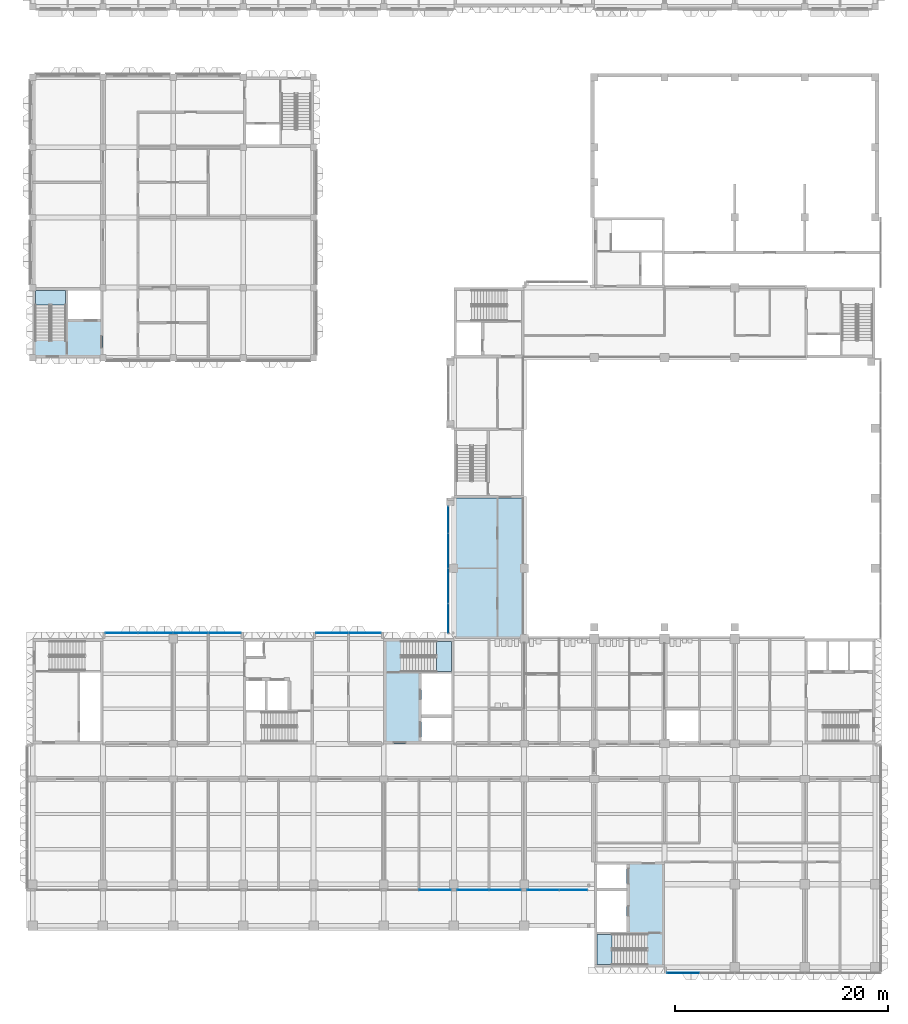
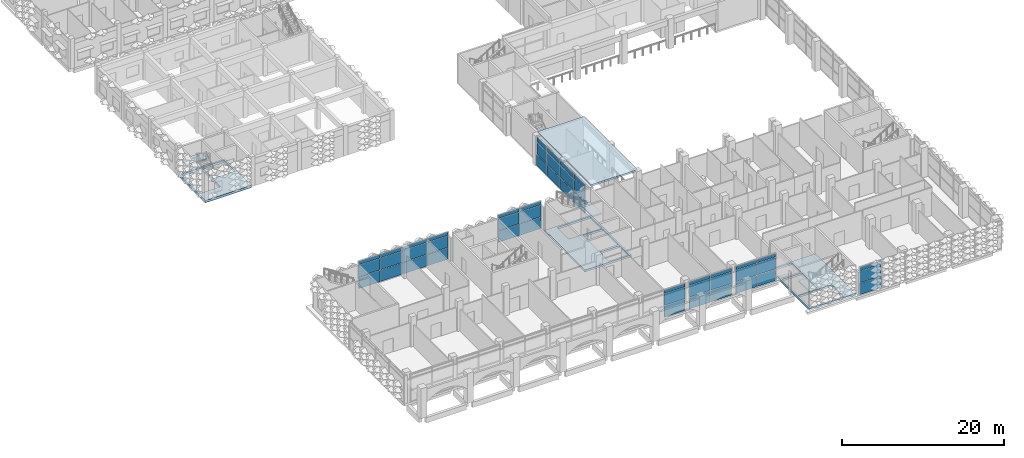
# One storey, part 22 of 87: 48 plates, 7 slabs, 10 elements without a shape of their own.
"""IFC4 building model written with IfcOpenShell, lengths in metres."""

from ifc_helpers import new_model, si_unit, direction, frame, origin, origin_2d, place, context, subcontext, project, spatial, polyline, rectangle, outline, extrude, material, layer, layer_set, type_object, element, aggregate, save


model = new_model("IFC4")

# Units and contexts
model_context = context("Model", 3, precision=1e-05, world=origin(), true_north=direction((0.0, 1.0)))
body_context = subcontext(model_context, "Body", "Model", "MODEL_VIEW")
ifc_project = project(units=[si_unit("LENGTHUNIT", "METRE"), si_unit("AREAUNIT", "SQUARE_METRE"), si_unit("VOLUMEUNIT", "CUBIC_METRE"), si_unit("PLANEANGLEUNIT", "RADIAN"), si_unit("MASSUNIT", "GRAM", prefix="KILO")], contexts=[model_context])

# Site, building, storey
site_placement = place(None, origin())
site = spatial("IfcSite", under=ifc_project, at=site_placement, CompositionType="ELEMENT")
building_placement = place(site_placement, origin())
building = spatial("IfcBuilding", under=site, at=building_placement, Name="Lantern Court Research Institute", CompositionType="ELEMENT")
storey_placement = place(building_placement, frame((0.0, 0.0, 5.39990234375)))
storey = spatial("IfcBuildingStorey", under=building, at=storey_placement, Name="L01", CompositionType="ELEMENT", Elevation=5.39990234375)

# Curtain wall, plates
ifc_material_1 = material(Name="Aluminium alloy 6063-T6", Category="aluminium")
curtain_wall_type_1 = type_object("IfcCurtainWallType", Name="Curtain wall 6150 x 4200 x 150 aluminium frame", PredefinedType="NOTDEFINED", material=ifc_material_1)
curtain_wall_1_placement = place(storey_placement, origin())
curtain_wall_1 = element("IfcCurtainWall", 1, at=curtain_wall_1_placement, inside=storey, type_object=curtain_wall_type_1, Name="Curtain wall CW028", PredefinedType="NOTDEFINED")
ifc_material_2 = material(Name="Laminated low-emissivity glass", Category="glass")
ifc_layer_1 = layer(ifc_material_2, 0.0439453125)
ifc_layer_set_1 = layer_set([ifc_layer_1], Name="Laminated low-emissivity glass")
plate_type_1 = type_object("IfcPlateType", Name="Acoustic laminated unit 44 mm over the arcade", PredefinedType="CURTAIN_PANEL", material=ifc_layer_set_1)
plate_1_placement = place(storey_placement, frame((37.8173828125, -0.52490234375, 0.080078125), z_axis=(0.0, 0.0, 1.0), x_axis=(-1.0, 0.0, 0.0)))
plate_1 = element("IfcPlate", 2, at=plate_1_placement, type_object=plate_type_1, Name="CW028 glazed panel 2.1", PredefinedType="CURTAIN_PANEL", context=body_context, shape_type="SweptSolid", body=[
    extrude(rectangle(XDim=2.955078125, YDim=0.0439453125, at=origin_2d()), origin(), (0.0, 0.0, 1.0), 1.679931640625),
])
plate_2_placement = place(storey_placement, frame((37.8173828125, -0.52490234375, 1.84033203125), z_axis=(0.0, 0.0, 1.0), x_axis=(-1.0, 0.0, 0.0)))
plate_2 = element("IfcPlate", 3, at=plate_2_placement, type_object=plate_type_1, Name="CW028 glazed panel 2.2", PredefinedType="CURTAIN_PANEL", context=body_context, shape_type="SweptSolid", body=[
    extrude(rectangle(XDim=2.955078125, YDim=0.0439453125, at=origin_2d()), origin(), (0.0, 0.0, 1.0), 1.719970703125),
])
plate_3_placement = place(storey_placement, frame((37.8173828125, -0.52490234375, 3.64013671875), z_axis=(0.0, 0.0, 1.0), x_axis=(-1.0, 0.0, 0.0)))
plate_3 = element("IfcPlate", 4, at=plate_3_placement, type_object=plate_type_1, Name="CW028 glazed panel 2.3", PredefinedType="CURTAIN_PANEL", context=body_context, shape_type="SweptSolid", body=[
    extrude(rectangle(XDim=2.955078125, YDim=0.0439453125, at=origin_2d()), origin(), (0.0, 0.0, 1.0), 0.47998046875),
])
aggregate(curtain_wall_1, [plate_1, plate_2, plate_3])

curtain_wall_2_placement = place(storey_placement, origin())
curtain_wall_2 = element("IfcCurtainWall", 5, at=curtain_wall_2_placement, inside=storey, type_object=curtain_wall_type_1, Name="Curtain wall CW029", PredefinedType="NOTDEFINED")
plate_4_placement = place(storey_placement, frame((41.382568359375, -0.52490234375, 0.080078125), z_axis=(0.0, 0.0, 1.0), x_axis=(-1.0, 0.0, 0.0)))
plate_4 = element("IfcPlate", 6, at=plate_4_placement, type_object=plate_type_1, Name="CW029 glazed panel 1.1", PredefinedType="CURTAIN_PANEL", context=body_context, shape_type="SweptSolid", body=[
    extrude(rectangle(XDim=2.955078125, YDim=0.0439453125, at=origin_2d()), origin(), (0.0, 0.0, 1.0), 1.679931640625),
])
plate_5_placement = place(storey_placement, frame((41.382568359375, -0.52490234375, 1.84033203125), z_axis=(0.0, 0.0, 1.0), x_axis=(-1.0, 0.0, 0.0)))
plate_5 = element("IfcPlate", 7, at=plate_5_placement, type_object=plate_type_1, Name="CW029 glazed panel 1.2", PredefinedType="CURTAIN_PANEL", context=body_context, shape_type="SweptSolid", body=[
    extrude(rectangle(XDim=2.955078125, YDim=0.0439453125, at=origin_2d()), origin(), (0.0, 0.0, 1.0), 1.719970703125),
])
plate_6_placement = place(storey_placement, frame((41.382568359375, -0.52490234375, 3.64013671875), z_axis=(0.0, 0.0, 1.0), x_axis=(-1.0, 0.0, 0.0)))
plate_6 = element("IfcPlate", 8, at=plate_6_placement, type_object=plate_type_1, Name="CW029 glazed panel 1.3", PredefinedType="CURTAIN_PANEL", context=body_context, shape_type="SweptSolid", body=[
    extrude(rectangle(XDim=2.955078125, YDim=0.0439453125, at=origin_2d()), origin(), (0.0, 0.0, 1.0), 0.47998046875),
])
plate_7_placement = place(storey_placement, frame((44.41748046875, -0.52490234375, 0.080078125), z_axis=(0.0, 0.0, 1.0), x_axis=(-1.0, 0.0, 0.0)))
plate_7 = element("IfcPlate", 9, at=plate_7_placement, type_object=plate_type_1, Name="CW029 glazed panel 2.1", PredefinedType="CURTAIN_PANEL", context=body_context, shape_type="SweptSolid", body=[
    extrude(rectangle(XDim=2.955078125, YDim=0.0439453125, at=origin_2d()), origin(), (0.0, 0.0, 1.0), 1.679931640625),
])
plate_8_placement = place(storey_placement, frame((44.41748046875, -0.52490234375, 1.84033203125), z_axis=(0.0, 0.0, 1.0), x_axis=(-1.0, 0.0, 0.0)))
plate_8 = element("IfcPlate", 10, at=plate_8_placement, type_object=plate_type_1, Name="CW029 glazed panel 2.2", PredefinedType="CURTAIN_PANEL", context=body_context, shape_type="SweptSolid", body=[
    extrude(rectangle(XDim=2.955078125, YDim=0.0439453125, at=origin_2d()), origin(), (0.0, 0.0, 1.0), 1.719970703125),
])
plate_9_placement = place(storey_placement, frame((44.41748046875, -0.52490234375, 3.64013671875), z_axis=(0.0, 0.0, 1.0), x_axis=(-1.0, 0.0, 0.0)))
plate_9 = element("IfcPlate", 11, at=plate_9_placement, type_object=plate_type_1, Name="CW029 glazed panel 2.3", PredefinedType="CURTAIN_PANEL", context=body_context, shape_type="SweptSolid", body=[
    extrude(rectangle(XDim=2.955078125, YDim=0.0439453125, at=origin_2d()), origin(), (0.0, 0.0, 1.0), 0.47998046875),
])
aggregate(curtain_wall_2, [plate_4, plate_5, plate_6, plate_7, plate_8, plate_9])

ifc_material_3 = material(Name="Aluminium alloy 6063-T6", Category="aluminium")
curtain_wall_type_2 = type_object("IfcCurtainWallType", Name="Curtain wall 5775 x 4200 x 150 aluminium frame", PredefinedType="NOTDEFINED", material=ifc_material_3)
curtain_wall_3_placement = place(storey_placement, origin())
curtain_wall_3 = element("IfcCurtainWall", 12, at=curtain_wall_3_placement, inside=storey, type_object=curtain_wall_type_2, Name="Curtain wall CW030", PredefinedType="NOTDEFINED")
plate_10_placement = place(storey_placement, frame((47.982421875, -0.52490234375, 0.080078125), z_axis=(0.0, 0.0, 1.0), x_axis=(-1.0, 0.0, 0.0)))
plate_10 = element("IfcPlate", 13, at=plate_10_placement, type_object=plate_type_1, Name="CW030 glazed panel 1.1", PredefinedType="CURTAIN_PANEL", context=body_context, shape_type="SweptSolid", body=[
    extrude(rectangle(XDim=2.955078125, YDim=0.0439453125, at=origin_2d()), origin(), (0.0, 0.0, 1.0), 1.679931640625),
])
plate_11_placement = place(storey_placement, frame((47.982421875, -0.52490234375, 1.84033203125), z_axis=(0.0, 0.0, 1.0), x_axis=(-1.0, 0.0, 0.0)))
plate_11 = element("IfcPlate", 14, at=plate_11_placement, type_object=plate_type_1, Name="CW030 glazed panel 1.2", PredefinedType="CURTAIN_PANEL", context=body_context, shape_type="SweptSolid", body=[
    extrude(rectangle(XDim=2.955078125, YDim=0.0439453125, at=origin_2d()), origin(), (0.0, 0.0, 1.0), 1.719970703125),
])
plate_12_placement = place(storey_placement, frame((47.982421875, -0.52490234375, 3.64013671875), z_axis=(0.0, 0.0, 1.0), x_axis=(-1.0, 0.0, 0.0)))
plate_12 = element("IfcPlate", 15, at=plate_12_placement, type_object=plate_type_1, Name="CW030 glazed panel 1.3", PredefinedType="CURTAIN_PANEL", context=body_context, shape_type="SweptSolid", body=[
    extrude(rectangle(XDim=2.955078125, YDim=0.0439453125, at=origin_2d()), origin(), (0.0, 0.0, 1.0), 0.47998046875),
])
plate_13_placement = place(storey_placement, frame((50.830078125, -0.52490234375, 0.080078125), z_axis=(0.0, 0.0, 1.0), x_axis=(-1.0, 0.0, 0.0)))
plate_13 = element("IfcPlate", 16, at=plate_13_placement, type_object=plate_type_1, Name="CW030 glazed panel 2.1", PredefinedType="CURTAIN_PANEL", context=body_context, shape_type="SweptSolid", body=[
    extrude(rectangle(XDim=2.580078125, YDim=0.0439453125, at=origin_2d()), origin(), (0.0, 0.0, 1.0), 1.679931640625),
])
plate_14_placement = place(storey_placement, frame((50.830078125, -0.52490234375, 1.84033203125), z_axis=(0.0, 0.0, 1.0), x_axis=(-1.0, 0.0, 0.0)))
plate_14 = element("IfcPlate", 17, at=plate_14_placement, type_object=plate_type_1, Name="CW030 glazed panel 2.2", PredefinedType="CURTAIN_PANEL", context=body_context, shape_type="SweptSolid", body=[
    extrude(rectangle(XDim=2.580078125, YDim=0.0439453125, at=origin_2d()), origin(), (0.0, 0.0, 1.0), 1.719970703125),
])
plate_15_placement = place(storey_placement, frame((50.830078125, -0.52490234375, 3.64013671875), z_axis=(0.0, 0.0, 1.0), x_axis=(-1.0, 0.0, 0.0)))
plate_15 = element("IfcPlate", 18, at=plate_15_placement, type_object=plate_type_1, Name="CW030 glazed panel 2.3", PredefinedType="CURTAIN_PANEL", context=body_context, shape_type="SweptSolid", body=[
    extrude(rectangle(XDim=2.580078125, YDim=0.0439453125, at=origin_2d()), origin(), (0.0, 0.0, 1.0), 0.47998046875),
])
aggregate(curtain_wall_3, [plate_10, plate_11, plate_12, plate_13, plate_14, plate_15])

ifc_material_4 = material(Name="Aluminium alloy 6063-T6", Category="aluminium")
curtain_wall_type_3 = type_object("IfcCurtainWallType", Name="Curtain wall 12050 x 4500 x 150 aluminium frame", PredefinedType="NOTDEFINED", material=ifc_material_4)
curtain_wall_4_placement = place(storey_placement, origin())
curtain_wall_4 = element("IfcCurtainWall", 19, at=curtain_wall_4_placement, inside=storey, type_object=curtain_wall_type_3, Name="Curtain wall CW019", PredefinedType="NOTDEFINED")
ifc_material_5 = material(Name="Fire-resisting insulated aluminium spandrel panel", Category="aluminium")
ifc_layer_2 = layer(ifc_material_5, 0.1201171875)
ifc_layer_set_2 = layer_set([ifc_layer_2], Name="Fire-resisting insulated aluminium spandrel panel")
plate_type_2 = type_object("IfcPlateType", Name="Fire-resisting spandrel panel 120 mm", PredefinedType="CURTAIN_PANEL", material=ifc_layer_set_2)
plate_16_placement = place(storey_placement, frame((39.074951171875, 25.0, 0.10009765625), z_axis=(0.0, 0.0, 1.0), x_axis=(0.0, 1.0, 0.0)))
plate_16 = element("IfcPlate", 20, at=plate_16_placement, type_object=plate_type_2, Name="CW019 spandrel panel 1.1", PredefinedType="CURTAIN_PANEL", context=body_context, shape_type="SweptSolid", body=[
    extrude(rectangle(XDim=2.699951171875, YDim=0.1201171875, at=origin_2d()), origin(), (0.0, 0.0, 1.0), 1.64990234375),
])
plate_17_placement = place(storey_placement, frame((39.074951171875, 28.050048828125, 0.10009765625), z_axis=(0.0, 0.0, 1.0), x_axis=(0.0, 1.0, 0.0)))
plate_17 = element("IfcPlate", 21, at=plate_17_placement, type_object=plate_type_2, Name="CW019 spandrel panel 2.1", PredefinedType="CURTAIN_PANEL", context=body_context, shape_type="SweptSolid", body=[
    extrude(rectangle(XDim=3.199951171875, YDim=0.1201171875, at=origin_2d()), origin(), (0.0, 0.0, 1.0), 1.64990234375),
])
plate_18_placement = place(storey_placement, frame((39.074951171875, 31.35009765625, 0.10009765625), z_axis=(0.0, 0.0, 1.0), x_axis=(0.0, 1.0, 0.0)))
plate_18 = element("IfcPlate", 22, at=plate_18_placement, type_object=plate_type_2, Name="CW019 spandrel panel 3.1", PredefinedType="CURTAIN_PANEL", context=body_context, shape_type="SweptSolid", body=[
    extrude(rectangle(XDim=3.199951171875, YDim=0.1201171875, at=origin_2d()), origin(), (0.0, 0.0, 1.0), 1.64990234375),
])
plate_19_placement = place(storey_placement, frame((39.074951171875, 34.27490234375, 0.10009765625), z_axis=(0.0, 0.0, 1.0), x_axis=(0.0, 1.0, 0.0)))
plate_19 = element("IfcPlate", 23, at=plate_19_placement, type_object=plate_type_2, Name="CW019 spandrel panel 4.1", PredefinedType="CURTAIN_PANEL", context=body_context, shape_type="SweptSolid", body=[
    extrude(rectangle(XDim=2.449951171875, YDim=0.1201171875, at=origin_2d()), origin(), (0.0, 0.0, 1.0), 1.64990234375),
])

# Slab
ifc_material_6 = material(Name="Concrete C35/45", Category="concrete")
ifc_layer_3 = layer(ifc_material_6, 0.25)
ifc_layer_set_3 = layer_set([ifc_layer_3], Name="Concrete C35/45")
slab_type_1 = type_object("IfcSlabType", Name="Hall gallery slab 250", PredefinedType="FLOOR", material=ifc_layer_set_3)
slab_1_placement = place(storey_placement, frame((0.0, 0.0, 4.25)))
element("IfcSlab", 24, at=slab_1_placement, inside=storey, type_object=slab_type_1, Name="Atrium gallery floor slab L02", PredefinedType="FLOOR", context=body_context, shape_type="SweptSolid", body=[
    extrude(outline(polyline([(39.60009765625, 36.300048828125), (46.199951171875, 36.300048828125), (46.199951171875, 23.10009765625), (39.60009765625, 23.10009765625), (39.60009765625, 36.300048828125)])), origin(), (0.0, 0.0, 1.0), 0.25),
])

# Curtain wall, plate
ifc_material_7 = material(Name="Aluminium alloy 6063-T6", Category="aluminium")
curtain_wall_type_4 = type_object("IfcCurtainWallType", Name="Curtain wall 20200 x 4200 x 150 aluminium frame", PredefinedType="NOTDEFINED", material=ifc_material_7)
curtain_wall_5_placement = place(storey_placement, origin())
curtain_wall_5 = element("IfcCurtainWall", 25, at=curtain_wall_5_placement, inside=storey, type_object=curtain_wall_type_4, Name="Curtain wall CW033", PredefinedType="NOTDEFINED")
ifc_material_8 = material(Name="Insulated aluminium spandrel panel", Category="aluminium")
ifc_layer_4 = layer(ifc_material_8, 0.10009765625)
ifc_layer_set_4 = layer_set([ifc_layer_4], Name="Insulated aluminium spandrel panel")
plate_type_3 = type_object("IfcPlateType", Name="Insulated spandrel panel 100 mm for south sun", PredefinedType="CURTAIN_PANEL", material=ifc_layer_set_4)
plate_20_placement = place(storey_placement, frame((61.1650390625, -8.324951171875, 0.06005859375), z_axis=(0.0, 0.0, 1.0), x_axis=(-1.0, 0.0, 0.0)))
plate_20 = element("IfcPlate", 26, at=plate_20_placement, type_object=plate_type_3, Name="CW033 spandrel panel 1.1", PredefinedType="CURTAIN_PANEL", context=body_context, shape_type="SweptSolid", body=[
    extrude(rectangle(XDim=3.010009765625, YDim=0.10009765625, at=origin_2d()), origin(), (0.0, 0.0, 1.0), 1.7099609375),
])

# Curtain wall, plates
ifc_material_9 = material(Name="Aluminium alloy 6063-T6", Category="aluminium")
curtain_wall_type_5 = type_object("IfcCurtainWallType", Name="Curtain wall 12800 x 4200 x 150 aluminium frame", PredefinedType="NOTDEFINED", material=ifc_material_9)
curtain_wall_6_placement = place(storey_placement, origin())
curtain_wall_6 = element("IfcCurtainWall", 27, at=curtain_wall_6_placement, inside=storey, type_object=curtain_wall_type_5, Name="Curtain wall CW021", PredefinedType="NOTDEFINED")
ifc_material_10 = material(Name="Insulated aluminium spandrel panel", Category="aluminium")
ifc_layer_5 = layer(ifc_material_10, 0.06005859375)
ifc_layer_set_5 = layer_set([ifc_layer_5], Name="Insulated aluminium spandrel panel")
plate_type_4 = type_object("IfcPlateType", Name="Insulated spandrel panel 60 mm", PredefinedType="CURTAIN_PANEL", material=ifc_layer_set_5)
plate_21_placement = place(storey_placement, frame((8.364990234375, 23.625, 0.06005859375), z_axis=(0.0, 0.0, 1.0), x_axis=(1.0, 0.0, 0.0)))
plate_21 = element("IfcPlate", 28, at=plate_21_placement, type_object=plate_type_4, Name="CW021 spandrel panel 1.1", PredefinedType="CURTAIN_PANEL", context=body_context, shape_type="SweptSolid", body=[
    extrude(rectangle(XDim=3.010009765625, YDim=0.06005859375, at=origin_2d()), origin(), (0.0, 0.0, 1.0), 1.7099609375),
])
plate_22_placement = place(storey_placement, frame((11.550048828125, 23.625, 0.06005859375), z_axis=(0.0, 0.0, 1.0), x_axis=(1.0, 0.0, 0.0)))
plate_22 = element("IfcPlate", 29, at=plate_22_placement, type_object=plate_type_4, Name="CW021 spandrel panel 2.1", PredefinedType="CURTAIN_PANEL", context=body_context, shape_type="SweptSolid", body=[
    extrude(rectangle(XDim=3.239990234375, YDim=0.06005859375, at=origin_2d()), origin(), (0.0, 0.0, 1.0), 1.7099609375),
])
plate_23_placement = place(storey_placement, frame((14.85009765625, 23.625, 0.06005859375), z_axis=(0.0, 0.0, 1.0), x_axis=(1.0, 0.0, 0.0)))
plate_23 = element("IfcPlate", 30, at=plate_23_placement, type_object=plate_type_4, Name="CW021 spandrel panel 3.1", PredefinedType="CURTAIN_PANEL", context=body_context, shape_type="SweptSolid", body=[
    extrude(rectangle(XDim=3.239990234375, YDim=0.06005859375, at=origin_2d()), origin(), (0.0, 0.0, 1.0), 1.7099609375),
])
plate_24_placement = place(storey_placement, frame((18.034912109375, 23.625, 0.06005859375), z_axis=(0.0, 0.0, 1.0), x_axis=(1.0, 0.0, 0.0)))
plate_24 = element("IfcPlate", 31, at=plate_24_placement, type_object=plate_type_4, Name="CW021 spandrel panel 4.1", PredefinedType="CURTAIN_PANEL", context=body_context, shape_type="SweptSolid", body=[
    extrude(rectangle(XDim=3.010009765625, YDim=0.06005859375, at=origin_2d()), origin(), (0.0, 0.0, 1.0), 1.7099609375),
])

ifc_material_11 = material(Name="Aluminium alloy 6063-T6", Category="aluminium")
curtain_wall_type_6 = type_object("IfcCurtainWallType", Name="Curtain wall 6200 x 4200 x 150 aluminium frame", PredefinedType="NOTDEFINED", material=ifc_material_11)
curtain_wall_7_placement = place(storey_placement, origin())
curtain_wall_7 = element("IfcCurtainWall", 32, at=curtain_wall_7_placement, inside=storey, type_object=curtain_wall_type_6, Name="Curtain wall CW022", PredefinedType="NOTDEFINED")
plate_25_placement = place(storey_placement, frame((28.1650390625, 23.625, 0.06005859375), z_axis=(0.0, 0.0, 1.0), x_axis=(1.0, 0.0, 0.0)))
plate_25 = element("IfcPlate", 33, at=plate_25_placement, type_object=plate_type_4, Name="CW022 spandrel panel 1.1", PredefinedType="CURTAIN_PANEL", context=body_context, shape_type="SweptSolid", body=[
    extrude(rectangle(XDim=3.010009765625, YDim=0.06005859375, at=origin_2d()), origin(), (0.0, 0.0, 1.0), 1.7099609375),
])
plate_26_placement = place(storey_placement, frame((31.235107421875, 23.625, 0.06005859375), z_axis=(0.0, 0.0, 1.0), x_axis=(1.0, 0.0, 0.0)))
plate_26 = element("IfcPlate", 34, at=plate_26_placement, type_object=plate_type_4, Name="CW022 spandrel panel 2.1", PredefinedType="CURTAIN_PANEL", context=body_context, shape_type="SweptSolid", body=[
    extrude(rectangle(XDim=3.010009765625, YDim=0.06005859375, at=origin_2d()), origin(), (0.0, 0.0, 1.0), 1.7099609375),
])

# Plate
ifc_material_12 = material(Name="Laminated low-emissivity glass", Category="glass")
ifc_layer_6 = layer(ifc_material_12, 0.028076171875)
ifc_layer_set_6 = layer_set([ifc_layer_6], Name="Laminated low-emissivity glass")
plate_type_5 = type_object("IfcPlateType", Name="Laminated low-emissivity unit 28 mm", PredefinedType="CURTAIN_PANEL", material=ifc_layer_set_6)
plate_27_placement = place(storey_placement, frame((39.074951171875, 25.0, 1.85009765625), z_axis=(0.0, 0.0, 1.0), x_axis=(0.0, 1.0, 0.0)))
plate_27 = element("IfcPlate", 35, at=plate_27_placement, type_object=plate_type_5, Name="CW019 glazed panel 1.2", PredefinedType="CURTAIN_PANEL", context=body_context, shape_type="SweptSolid", body=[
    extrude(rectangle(XDim=2.699951171875, YDim=0.028076171875, at=origin_2d()), origin(), (0.0, 0.0, 1.0), 1.699951171875),
])

plate_28_placement = place(storey_placement, frame((39.074951171875, 25.0, 3.650146484375), z_axis=(0.0, 0.0, 1.0), x_axis=(0.0, 1.0, 0.0)))
plate_28 = element("IfcPlate", 36, at=plate_28_placement, type_object=plate_type_5, Name="CW019 glazed panel 1.3", PredefinedType="CURTAIN_PANEL", context=body_context, shape_type="SweptSolid", body=[
    extrude(rectangle(XDim=2.699951171875, YDim=0.028076171875, at=origin_2d()), origin(), (0.0, 0.0, 1.0), 0.75),
])

plate_29_placement = place(storey_placement, frame((39.074951171875, 28.050048828125, 1.85009765625), z_axis=(0.0, 0.0, 1.0), x_axis=(0.0, 1.0, 0.0)))
plate_29 = element("IfcPlate", 37, at=plate_29_placement, type_object=plate_type_5, Name="CW019 glazed panel 2.2", PredefinedType="CURTAIN_PANEL", context=body_context, shape_type="SweptSolid", body=[
    extrude(rectangle(XDim=3.199951171875, YDim=0.028076171875, at=origin_2d()), origin(), (0.0, 0.0, 1.0), 1.699951171875),
])

plate_30_placement = place(storey_placement, frame((39.074951171875, 28.050048828125, 3.650146484375), z_axis=(0.0, 0.0, 1.0), x_axis=(0.0, 1.0, 0.0)))
plate_30 = element("IfcPlate", 38, at=plate_30_placement, type_object=plate_type_5, Name="CW019 glazed panel 2.3", PredefinedType="CURTAIN_PANEL", context=body_context, shape_type="SweptSolid", body=[
    extrude(rectangle(XDim=3.199951171875, YDim=0.028076171875, at=origin_2d()), origin(), (0.0, 0.0, 1.0), 0.75),
])

plate_31_placement = place(storey_placement, frame((39.074951171875, 31.35009765625, 1.85009765625), z_axis=(0.0, 0.0, 1.0), x_axis=(0.0, 1.0, 0.0)))
plate_31 = element("IfcPlate", 39, at=plate_31_placement, type_object=plate_type_5, Name="CW019 glazed panel 3.2", PredefinedType="CURTAIN_PANEL", context=body_context, shape_type="SweptSolid", body=[
    extrude(rectangle(XDim=3.199951171875, YDim=0.028076171875, at=origin_2d()), origin(), (0.0, 0.0, 1.0), 1.699951171875),
])

plate_32_placement = place(storey_placement, frame((39.074951171875, 31.35009765625, 3.650146484375), z_axis=(0.0, 0.0, 1.0), x_axis=(0.0, 1.0, 0.0)))
plate_32 = element("IfcPlate", 40, at=plate_32_placement, type_object=plate_type_5, Name="CW019 glazed panel 3.3", PredefinedType="CURTAIN_PANEL", context=body_context, shape_type="SweptSolid", body=[
    extrude(rectangle(XDim=3.199951171875, YDim=0.028076171875, at=origin_2d()), origin(), (0.0, 0.0, 1.0), 0.75),
])

plate_33_placement = place(storey_placement, frame((39.074951171875, 34.27490234375, 1.85009765625), z_axis=(0.0, 0.0, 1.0), x_axis=(0.0, 1.0, 0.0)))
plate_33 = element("IfcPlate", 41, at=plate_33_placement, type_object=plate_type_5, Name="CW019 glazed panel 4.2", PredefinedType="CURTAIN_PANEL", context=body_context, shape_type="SweptSolid", body=[
    extrude(rectangle(XDim=2.449951171875, YDim=0.028076171875, at=origin_2d()), origin(), (0.0, 0.0, 1.0), 1.699951171875),
])

plate_34_placement = place(storey_placement, frame((39.074951171875, 34.27490234375, 3.650146484375), z_axis=(0.0, 0.0, 1.0), x_axis=(0.0, 1.0, 0.0)))
plate_34 = element("IfcPlate", 42, at=plate_34_placement, type_object=plate_type_5, Name="CW019 glazed panel 4.3", PredefinedType="CURTAIN_PANEL", context=body_context, shape_type="SweptSolid", body=[
    extrude(rectangle(XDim=2.449951171875, YDim=0.028076171875, at=origin_2d()), origin(), (0.0, 0.0, 1.0), 0.75),
])

aggregate(curtain_wall_4, [plate_16, plate_27, plate_28, plate_17, plate_29, plate_30, plate_18, plate_31, plate_32, plate_19, plate_33, plate_34])

plate_35_placement = place(storey_placement, frame((8.364990234375, 23.625, 1.830078125), z_axis=(0.0, 0.0, 1.0), x_axis=(1.0, 0.0, 0.0)))
plate_35 = element("IfcPlate", 43, at=plate_35_placement, type_object=plate_type_5, Name="CW021 glazed panel 1.2", PredefinedType="CURTAIN_PANEL", context=body_context, shape_type="SweptSolid", body=[
    extrude(rectangle(XDim=3.010009765625, YDim=0.028076171875, at=origin_2d()), origin(), (0.0, 0.0, 1.0), 1.739990234375),
])

plate_36_placement = place(storey_placement, frame((8.364990234375, 23.625, 3.6298828125), z_axis=(0.0, 0.0, 1.0), x_axis=(1.0, 0.0, 0.0)))
plate_36 = element("IfcPlate", 44, at=plate_36_placement, type_object=plate_type_5, Name="CW021 glazed panel 1.3", PredefinedType="CURTAIN_PANEL", context=body_context, shape_type="SweptSolid", body=[
    extrude(rectangle(XDim=3.010009765625, YDim=0.028076171875, at=origin_2d()), origin(), (0.0, 0.0, 1.0), 0.510009765625),
])

plate_37_placement = place(storey_placement, frame((11.550048828125, 23.625, 1.830078125), z_axis=(0.0, 0.0, 1.0), x_axis=(1.0, 0.0, 0.0)))
plate_37 = element("IfcPlate", 45, at=plate_37_placement, type_object=plate_type_5, Name="CW021 glazed panel 2.2", PredefinedType="CURTAIN_PANEL", context=body_context, shape_type="SweptSolid", body=[
    extrude(rectangle(XDim=3.239990234375, YDim=0.028076171875, at=origin_2d()), origin(), (0.0, 0.0, 1.0), 1.739990234375),
])

plate_38_placement = place(storey_placement, frame((11.550048828125, 23.625, 3.6298828125), z_axis=(0.0, 0.0, 1.0), x_axis=(1.0, 0.0, 0.0)))
plate_38 = element("IfcPlate", 46, at=plate_38_placement, type_object=plate_type_5, Name="CW021 glazed panel 2.3", PredefinedType="CURTAIN_PANEL", context=body_context, shape_type="SweptSolid", body=[
    extrude(rectangle(XDim=3.239990234375, YDim=0.028076171875, at=origin_2d()), origin(), (0.0, 0.0, 1.0), 0.510009765625),
])

plate_39_placement = place(storey_placement, frame((14.85009765625, 23.625, 1.830078125), z_axis=(0.0, 0.0, 1.0), x_axis=(1.0, 0.0, 0.0)))
plate_39 = element("IfcPlate", 47, at=plate_39_placement, type_object=plate_type_5, Name="CW021 glazed panel 3.2", PredefinedType="CURTAIN_PANEL", context=body_context, shape_type="SweptSolid", body=[
    extrude(rectangle(XDim=3.239990234375, YDim=0.028076171875, at=origin_2d()), origin(), (0.0, 0.0, 1.0), 1.739990234375),
])

plate_40_placement = place(storey_placement, frame((14.85009765625, 23.625, 3.6298828125), z_axis=(0.0, 0.0, 1.0), x_axis=(1.0, 0.0, 0.0)))
plate_40 = element("IfcPlate", 48, at=plate_40_placement, type_object=plate_type_5, Name="CW021 glazed panel 3.3", PredefinedType="CURTAIN_PANEL", context=body_context, shape_type="SweptSolid", body=[
    extrude(rectangle(XDim=3.239990234375, YDim=0.028076171875, at=origin_2d()), origin(), (0.0, 0.0, 1.0), 0.510009765625),
])

plate_41_placement = place(storey_placement, frame((18.034912109375, 23.625, 1.830078125), z_axis=(0.0, 0.0, 1.0), x_axis=(1.0, 0.0, 0.0)))
plate_41 = element("IfcPlate", 49, at=plate_41_placement, type_object=plate_type_5, Name="CW021 glazed panel 4.2", PredefinedType="CURTAIN_PANEL", context=body_context, shape_type="SweptSolid", body=[
    extrude(rectangle(XDim=3.010009765625, YDim=0.028076171875, at=origin_2d()), origin(), (0.0, 0.0, 1.0), 1.739990234375),
])

plate_42_placement = place(storey_placement, frame((18.034912109375, 23.625, 3.6298828125), z_axis=(0.0, 0.0, 1.0), x_axis=(1.0, 0.0, 0.0)))
plate_42 = element("IfcPlate", 50, at=plate_42_placement, type_object=plate_type_5, Name="CW021 glazed panel 4.3", PredefinedType="CURTAIN_PANEL", context=body_context, shape_type="SweptSolid", body=[
    extrude(rectangle(XDim=3.010009765625, YDim=0.028076171875, at=origin_2d()), origin(), (0.0, 0.0, 1.0), 0.510009765625),
])

aggregate(curtain_wall_6, [plate_21, plate_35, plate_36, plate_22, plate_37, plate_38, plate_23, plate_39, plate_40, plate_24, plate_41, plate_42])

plate_43_placement = place(storey_placement, frame((28.1650390625, 23.625, 1.830078125), z_axis=(0.0, 0.0, 1.0), x_axis=(1.0, 0.0, 0.0)))
plate_43 = element("IfcPlate", 51, at=plate_43_placement, type_object=plate_type_5, Name="CW022 glazed panel 1.2", PredefinedType="CURTAIN_PANEL", context=body_context, shape_type="SweptSolid", body=[
    extrude(rectangle(XDim=3.010009765625, YDim=0.028076171875, at=origin_2d()), origin(), (0.0, 0.0, 1.0), 1.739990234375),
])

plate_44_placement = place(storey_placement, frame((28.1650390625, 23.625, 3.6298828125), z_axis=(0.0, 0.0, 1.0), x_axis=(1.0, 0.0, 0.0)))
plate_44 = element("IfcPlate", 52, at=plate_44_placement, type_object=plate_type_5, Name="CW022 glazed panel 1.3", PredefinedType="CURTAIN_PANEL", context=body_context, shape_type="SweptSolid", body=[
    extrude(rectangle(XDim=3.010009765625, YDim=0.028076171875, at=origin_2d()), origin(), (0.0, 0.0, 1.0), 0.510009765625),
])

plate_45_placement = place(storey_placement, frame((31.235107421875, 23.625, 1.830078125), z_axis=(0.0, 0.0, 1.0), x_axis=(1.0, 0.0, 0.0)))
plate_45 = element("IfcPlate", 53, at=plate_45_placement, type_object=plate_type_5, Name="CW022 glazed panel 2.2", PredefinedType="CURTAIN_PANEL", context=body_context, shape_type="SweptSolid", body=[
    extrude(rectangle(XDim=3.010009765625, YDim=0.028076171875, at=origin_2d()), origin(), (0.0, 0.0, 1.0), 1.739990234375),
])

plate_46_placement = place(storey_placement, frame((31.235107421875, 23.625, 3.6298828125), z_axis=(0.0, 0.0, 1.0), x_axis=(1.0, 0.0, 0.0)))
plate_46 = element("IfcPlate", 54, at=plate_46_placement, type_object=plate_type_5, Name="CW022 glazed panel 2.3", PredefinedType="CURTAIN_PANEL", context=body_context, shape_type="SweptSolid", body=[
    extrude(rectangle(XDim=3.010009765625, YDim=0.028076171875, at=origin_2d()), origin(), (0.0, 0.0, 1.0), 0.510009765625),
])

aggregate(curtain_wall_7, [plate_25, plate_43, plate_44, plate_26, plate_45, plate_46])

# Slabs
ifc_material_13 = material(Name="Concrete C35/45", Category="concrete")
ifc_layer_7 = layer(ifc_material_13, 0.300048828125)
ifc_layer_set_7 = layer_set([ifc_layer_7], Name="Concrete C35/45")
slab_type_2 = type_object("IfcSlabType", Name="RC core floor slab 300", PredefinedType="FLOOR", material=ifc_layer_set_7)
slab_2_placement = place(storey_placement, frame((0.0, 0.0, -0.2998046875)))
element("IfcSlab", 55, at=slab_2_placement, inside=storey, type_object=slab_type_2, Name="Floor of core BC-E", PredefinedType="FLOOR", context=body_context, shape_type="SweptSolid", body=[
    extrude(outline(polyline([(33.0, 13.199951171875), (39.60009765625, 13.199951171875), (39.60009765625, 23.10009765625), (33.0, 23.10009765625), (33.0, 13.199951171875)]), holes=[polyline([(34.64990234375, 20.0), (39.35009765625, 20.0), (39.35009765625, 22.85009765625), (34.64990234375, 22.85009765625), (34.64990234375, 20.0)]), polyline([(36.550048828125, 13.449951171875), (39.35009765625, 13.449951171875), (39.35009765625, 15.64990234375), (36.550048828125, 15.64990234375), (36.550048828125, 13.449951171875)]), polyline([(39.35009765625, 15.949951171875), (36.550048828125, 15.949951171875), (36.550048828125, 19.800048828125), (39.35009765625, 19.800048828125), (39.35009765625, 15.949951171875)])]), origin(), (0.0, 0.0, 1.0), 0.2998046875),
])
slab_3_placement = place(storey_placement, frame((0.0, 0.0, -0.2998046875)))
element("IfcSlab", 56, at=slab_3_placement, inside=storey, type_object=slab_type_2, Name="Floor of core TC-W", PredefinedType="FLOOR", context=body_context, shape_type="SweptSolid", body=[
    extrude(outline(polyline([(52.800048828125, -7.800048828125), (59.39990234375, -7.800048828125), (59.39990234375, 2.10009765625), (52.800048828125, 2.10009765625), (52.800048828125, -7.800048828125)]), holes=[polyline([(57.75, -4.699951171875), (53.050048828125, -4.699951171875), (53.050048828125, -7.550048828125), (57.75, -7.550048828125), (57.75, -4.699951171875)]), polyline([(53.050048828125, -0.35009765625), (55.85009765625, -0.35009765625), (55.85009765625, 1.85009765625), (53.050048828125, 1.85009765625), (53.050048828125, -0.35009765625)]), polyline([(53.050048828125, -0.64990234375), (55.85009765625, -0.64990234375), (55.85009765625, -4.5), (53.050048828125, -4.5), (53.050048828125, -0.64990234375)])]), origin(), (0.0, 0.0, 1.0), 0.2998046875),
])
ifc_material_14 = material(Name="Concrete C35/45", Category="concrete")
ifc_layer_8 = layer(ifc_material_14, 0.35009765625)
ifc_layer_set_8 = layer_set([ifc_layer_8], Name="Concrete C35/45")
slab_type_3 = type_object("IfcSlabType", Name="RC core floor slab 350", PredefinedType="FLOOR", material=ifc_layer_set_8)
slab_4_placement = place(storey_placement, frame((0.0, 0.0, -0.349853515625)))
element("IfcSlab", 57, at=slab_4_placement, inside=storey, type_object=slab_type_3, Name="Floor of core CC-A", PredefinedType="FLOOR", context=body_context, shape_type="SweptSolid", body=[
    extrude(outline(polyline([(0.0, 49.5), (6.60009765625, 49.5), (6.60009765625, 56.10009765625), (0.0, 56.10009765625), (0.0, 49.5)]), holes=[polyline([(3.10009765625, 51.14990234375), (3.10009765625, 55.85009765625), (0.25, 55.85009765625), (0.25, 51.14990234375), (3.10009765625, 51.14990234375)]), polyline([(3.300048828125, 53.14990234375), (6.35009765625, 53.14990234375), (6.35009765625, 55.85009765625), (3.300048828125, 55.85009765625), (3.300048828125, 53.14990234375)])]), origin(), (0.0, 0.0, 1.0), 0.349853515625),
])

# Stair, slab
ifc_material_15 = material(Name="Concrete C40/50", Category="concrete")
stair_type = type_object("IfcStairType", Name="RC half-turn stair 1350 wide, 4500 rise, 6100 shaft", PredefinedType="HALF_TURN_STAIR", material=ifc_material_15)
stair_1_placement = place(storey_placement, origin())
stair_1 = element("IfcStair", 58, at=stair_1_placement, inside=storey, type_object=stair_type, Name="L01 stair ST-B3", PredefinedType="HALF_TURN_STAIR")
ifc_material_16 = material(Name="Concrete C40/50", Category="concrete")
ifc_layer_9 = layer(ifc_material_16, 0.199951171875)
ifc_layer_set_9 = layer_set([ifc_layer_9], Name="Concrete C40/50")
slab_type_4 = type_object("IfcSlabType", Name="RC stair landing 200", PredefinedType="LANDING", material=ifc_layer_set_9)
slab_5_placement = place(storey_placement, frame((0.0, 0.0, 2.050048828125)))
slab_5 = element("IfcSlab", 59, at=slab_5_placement, type_object=slab_type_4, Name="ST-B3 landing 1", PredefinedType="LANDING", context=body_context, shape_type="SweptSolid", body=[
    extrude(outline(polyline([(37.9599609375, 20.0), (39.35009765625, 20.0), (39.35009765625, 22.85009765625), (37.9599609375, 22.85009765625), (37.9599609375, 20.0)])), origin(), (0.0, 0.0, 1.0), 0.199951171875),
])
aggregate(stair_1, [slab_5])

stair_2_placement = place(storey_placement, origin())
stair_2 = element("IfcStair", 60, at=stair_2_placement, inside=storey, type_object=stair_type, Name="L01 stair ST-T1", PredefinedType="HALF_TURN_STAIR")
slab_6_placement = place(storey_placement, frame((0.0, 0.0, 2.050048828125)))
slab_6 = element("IfcSlab", 61, at=slab_6_placement, type_object=slab_type_4, Name="ST-T1 landing 1", PredefinedType="LANDING", context=body_context, shape_type="SweptSolid", body=[
    extrude(outline(polyline([(54.43994140625, -4.699951171875), (53.050048828125, -4.699951171875), (53.050048828125, -7.550048828125), (54.43994140625, -7.550048828125), (54.43994140625, -4.699951171875)])), origin(), (0.0, 0.0, 1.0), 0.199951171875),
])
aggregate(stair_2, [slab_6])

stair_3_placement = place(storey_placement, origin())
stair_3 = element("IfcStair", 62, at=stair_3_placement, inside=storey, type_object=stair_type, Name="L01 stair ST-C1", PredefinedType="HALF_TURN_STAIR")
slab_7_placement = place(storey_placement, frame((0.0, 0.0, 2.050048828125)))
slab_7 = element("IfcSlab", 63, at=slab_7_placement, type_object=slab_type_4, Name="ST-C1 landing 1", PredefinedType="LANDING", context=body_context, shape_type="SweptSolid", body=[
    extrude(outline(polyline([(3.10009765625, 54.4599609375), (3.10009765625, 55.85009765625), (0.25, 55.85009765625), (0.25, 54.4599609375), (3.10009765625, 54.4599609375)])), origin(), (0.0, 0.0, 1.0), 0.199951171875),
])
aggregate(stair_3, [slab_7])

# Plate
ifc_material_17 = material(Name="Laminated low-emissivity glass", Category="glass")
ifc_layer_10 = layer(ifc_material_17, 0.035888671875)
ifc_layer_set_10 = layer_set([ifc_layer_10], Name="Laminated low-emissivity glass")
plate_type_6 = type_object("IfcPlateType", Name="Solar control laminated unit 36 mm", PredefinedType="CURTAIN_PANEL", material=ifc_layer_set_10)
plate_47_placement = place(storey_placement, frame((61.1650390625, -8.324951171875, 1.830078125), z_axis=(0.0, 0.0, 1.0), x_axis=(-1.0, 0.0, 0.0)))
plate_47 = element("IfcPlate", 64, at=plate_47_placement, type_object=plate_type_6, Name="CW033 glazed panel 1.2", PredefinedType="CURTAIN_PANEL", context=body_context, shape_type="SweptSolid", body=[
    extrude(rectangle(XDim=3.010009765625, YDim=0.035888671875, at=origin_2d()), origin(), (0.0, 0.0, 1.0), 1.739990234375),
])

plate_48_placement = place(storey_placement, frame((61.1650390625, -8.324951171875, 3.6298828125), z_axis=(0.0, 0.0, 1.0), x_axis=(-1.0, 0.0, 0.0)))
plate_48 = element("IfcPlate", 65, at=plate_48_placement, type_object=plate_type_6, Name="CW033 glazed panel 1.3", PredefinedType="CURTAIN_PANEL", context=body_context, shape_type="SweptSolid", body=[
    extrude(rectangle(XDim=3.010009765625, YDim=0.035888671875, at=origin_2d()), origin(), (0.0, 0.0, 1.0), 0.510009765625),
])

aggregate(curtain_wall_5, [plate_20, plate_47, plate_48])

save(model, "model.ifc")
